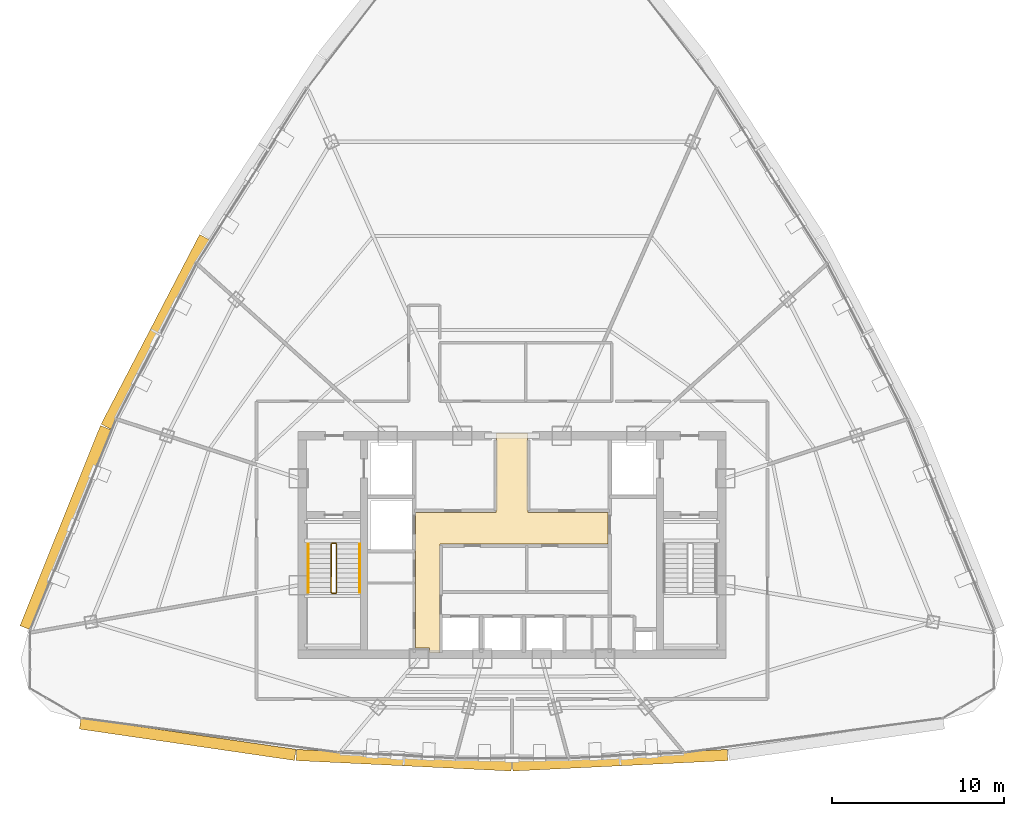
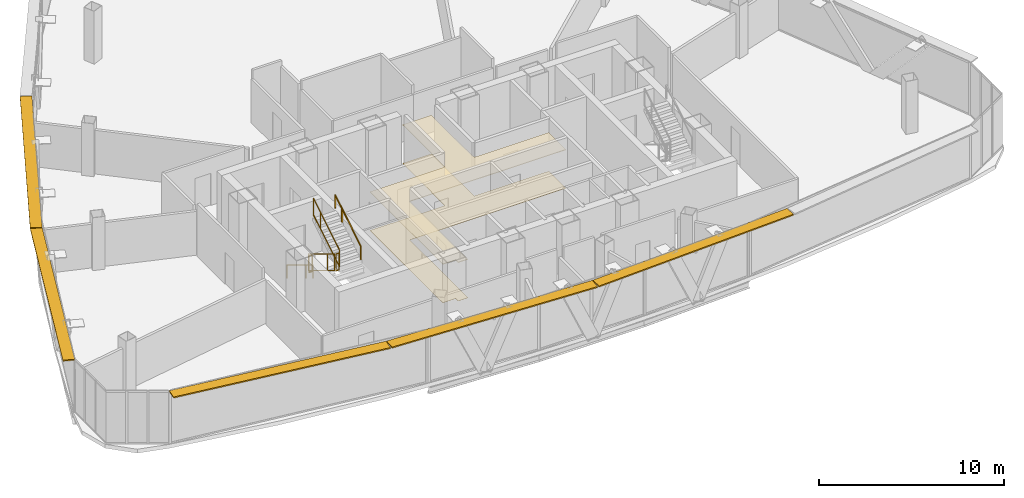
# One storey, part 25 of 27: 6 railings, 5 shading devices, 2 coverings.
"""IFC4 building model written with IfcOpenShell, lengths in metres."""

from ifc_helpers import new_model, si_unit, direction, frame, origin, origin_2d, place, context, subcontext, project, spatial, polyline, rectangle, outline, extrude, source, transform, mapped, material, layer, layer_set, type_object, element, save


model = new_model("IFC4")

# Units and contexts
model_context = context("Model", 3, precision=1e-05, world=origin(), true_north=direction((0.0, 1.0)))
body_context = subcontext(model_context, "Body", "Model", "MODEL_VIEW")
ifc_project = project(units=[si_unit("LENGTHUNIT", "METRE"), si_unit("AREAUNIT", "SQUARE_METRE"), si_unit("VOLUMEUNIT", "CUBIC_METRE"), si_unit("PLANEANGLEUNIT", "RADIAN"), si_unit("MASSUNIT", "GRAM", prefix="KILO"), si_unit("THERMODYNAMICTEMPERATUREUNIT", "KELVIN"), si_unit("POWERUNIT", "WATT")], contexts=[model_context])

# Site, building, storey
site_placement = place(None, origin())
site = spatial("IfcSite", under=ifc_project, at=site_placement, CompositionType="ELEMENT")
building_placement = place(site_placement, origin())
building = spatial("IfcBuilding", under=site, at=building_placement, Name="Yunzhuo Pagoda Commons", CompositionType="ELEMENT")
storey_placement = place(building_placement, frame((0.0, 0.0, 344.260009765625)))
storey = spatial("IfcBuildingStorey", under=building, at=storey_placement, Name="L86", CompositionType="ELEMENT", Elevation=344.260009765625)

# Coverings
ifc_material_1 = material(Name="Micro-perforated metal baffle ceiling")
ifc_layer_1 = layer(ifc_material_1, 0.034912109375)
ifc_layer_set_1 = layer_set([ifc_layer_1], Name="Micro-perforated metal baffle ceiling")
covering_type_1 = type_object("IfcCoveringType", Name="COV-CL3 Ceiling 35", PredefinedType="CEILING", material=ifc_layer_set_1)
covering_1_placement = place(storey_placement, frame((0.0, 0.0, 2.5400390625)))
element("IfcCovering", 1, at=covering_1_placement, inside=storey, type_object=covering_type_1, Name="L86 lift lobby acoustic ceiling", PredefinedType="CEILING", context=body_context, shape_type="SweptSolid", body=[
    extrude(outline(polyline([(42.39990234375, 35.75), (47.080078125, 35.75), (47.080078125, 37.25), (47.10009765625, 37.25), (47.10009765625, 40.35009765625), (48.89990234375, 40.35009765625), (48.89990234375, 37.25), (48.919921875, 37.25), (48.919921875, 35.75), (53.580078125, 35.75), (53.580078125, 33.89990234375), (43.820068359375, 33.89990234375), (43.820068359375, 27.60009765625), (43.207763671875, 27.60009765625), (43.207763671875, 27.85009765625), (43.201904296875, 27.864013671875), (43.187744140625, 27.8701171875), (42.39990234375, 27.8701171875), (42.39990234375, 33.89990234375), (42.39990234375, 35.75)])), origin(), (0.0, 0.0, 1.0), 0.034912109375),
])
ifc_material_2 = material(Name="Resilient acoustic studio flooring")
ifc_layer_2 = layer(ifc_material_2, 0.01806640625)
ifc_layer_set_2 = layer_set([ifc_layer_2], Name="Resilient acoustic studio flooring")
covering_type_2 = type_object("IfcCoveringType", Name="COV-FL3 Flooring 18", PredefinedType="FLOORING", material=ifc_layer_set_2)
covering_2_placement = place(storey_placement, origin())
element("IfcCovering", 2, at=covering_2_placement, inside=storey, type_object=covering_type_2, Name="L86 lift lobby flooring", PredefinedType="FLOORING", context=body_context, shape_type="SweptSolid", body=[
    extrude(outline(polyline([(42.39990234375, 35.75), (47.080078125, 35.75), (47.080078125, 37.25), (47.10009765625, 37.25), (47.10009765625, 40.35009765625), (48.89990234375, 40.35009765625), (48.89990234375, 37.25), (48.919921875, 37.25), (48.919921875, 35.75), (53.580078125, 35.75), (53.580078125, 33.89990234375), (43.820068359375, 33.89990234375), (43.820068359375, 27.60009765625), (43.207763671875, 27.60009765625), (43.207763671875, 27.85009765625), (43.201904296875, 27.864013671875), (43.187744140625, 27.8701171875), (42.39990234375, 27.8701171875), (42.39990234375, 33.89990234375), (42.39990234375, 35.75)])), origin(), (0.0, 0.0, 1.0), 0.01806640625),
])

# Railings
ifc_material_3 = material(Name="Anodized aluminium 6063-T6", Category="aluminium")
railing_type_1 = type_object("IfcRailingType", Name="GR-ST1 Stair Well Guardrail 1150", PredefinedType="GUARDRAIL", material=ifc_material_3)
railing_1_placement = place(storey_placement, frame((37.5, 33.89990234375, 0.17041015625)))
element("IfcRailing", 3, at=railing_1_placement, inside=storey, type_object=railing_type_1, Name="L86 ST1 stair guard 1", PredefinedType="GUARDRAIL", context=body_context, shape_type="SweptSolid", body=[
    extrude(rectangle(XDim=0.048095703125, YDim=0.048095703125, at=origin_2d()), frame((0.0, 0.0, 1.1259765625), z_axis=(0.0, -0.854149651119, 0.520027281489), x_axis=(1.0, 0.0, 0.0)), (0.0, 0.0, 1.0), 3.27783203125),
    extrude(rectangle(XDim=0.048095703125, YDim=0.048095703125, at=origin_2d()), frame((0.0, 0.0, 0.02392578125), z_axis=(0.0, -0.854149651119, 0.520027281489), x_axis=(1.0, 0.0, 0.0)), (0.0, 0.0, 1.0), 3.27783203125),
    extrude(rectangle(XDim=0.0419921875, YDim=0.0419921875, at=origin_2d()), origin(), (0.0, 0.0, 1.0), 1.101806640625),
    extrude(rectangle(XDim=0.0419921875, YDim=0.0419921875, at=origin_2d()), frame((0.0, -2.050048828125, 1.248046875)), (0.0, 0.0, 1.0), 1.101806640625),
    extrude(rectangle(XDim=0.0419921875, YDim=0.0419921875, at=origin_2d()), frame((0.0, -2.7998046875, 1.70458984375)), (0.0, 0.0, 1.0), 1.101806640625),
])
railing_2_placement = place(storey_placement, frame((37.550048828125, 31.050048828125, 1.875)))
element("IfcRailing", 4, at=railing_2_placement, inside=storey, type_object=railing_type_1, Name="L86 ST1 stair guard 2", PredefinedType="GUARDRAIL", context=body_context, shape_type="SweptSolid", body=[
    extrude(rectangle(XDim=0.048095703125, YDim=0.048095703125, at=origin_2d()), frame((0.0, 0.0, 1.1259765625), z_axis=(1.0, 0.0, 0.0), x_axis=(0.0, 1.0, 0.0)), (0.0, 0.0, 1.0), 0.199951171875),
    extrude(rectangle(XDim=0.048095703125, YDim=0.048095703125, at=origin_2d()), frame((0.0, 0.0, 0.02392578125), z_axis=(1.0, 0.0, 0.0), x_axis=(0.0, 1.0, 0.0)), (0.0, 0.0, 1.0), 0.199951171875),
    extrude(rectangle(XDim=0.0419921875, YDim=0.0419921875, at=origin_2d()), origin(), (0.0, 0.0, 1.0), 1.101806640625),
    extrude(rectangle(XDim=0.0419921875, YDim=0.0419921875, at=origin_2d()), frame((0.199951171875, 0.0, 0.0)), (0.0, 0.0, 1.0), 1.101806640625),
])
railing_3_placement = place(storey_placement, frame((37.800048828125, 31.10009765625, 2.04541015625)))
element("IfcRailing", 5, at=railing_3_placement, inside=storey, type_object=railing_type_1, Name="L86 ST1 stair guard 3", PredefinedType="GUARDRAIL", context=body_context, shape_type="SweptSolid", body=[
    extrude(rectangle(XDim=0.048095703125, YDim=0.048095703125, at=origin_2d()), frame((0.0, 0.0, 1.1259765625), z_axis=(0.0, 0.854149651119, 0.520027281489), x_axis=(-1.0, 0.0, 0.0)), (0.0, 0.0, 1.0), 3.27783203125),
    extrude(rectangle(XDim=0.048095703125, YDim=0.048095703125, at=origin_2d()), frame((0.0, 0.0, 0.02392578125), z_axis=(0.0, 0.854149651119, 0.520027281489), x_axis=(-1.0, 0.0, 0.0)), (0.0, 0.0, 1.0), 3.27783203125),
    extrude(rectangle(XDim=0.0419921875, YDim=0.0419921875, at=origin_2d()), origin(), (0.0, 0.0, 1.0), 1.101806640625),
    extrude(rectangle(XDim=0.0419921875, YDim=0.0419921875, at=origin_2d()), frame((0.0, 2.050048828125, 1.248046875)), (0.0, 0.0, 1.0), 1.101806640625),
    extrude(rectangle(XDim=0.0419921875, YDim=0.0419921875, at=origin_2d()), frame((0.0, 2.7998046875, 1.70458984375)), (0.0, 0.0, 1.0), 1.101806640625),
])
railing_4_placement = place(storey_placement, frame((37.550048828125, 33.949951171875, 0.0)))
element("IfcRailing", 6, at=railing_4_placement, inside=storey, type_object=railing_type_1, Name="L86 ST1 stair guard 4", PredefinedType="GUARDRAIL", context=body_context, shape_type="SweptSolid", body=[
    extrude(rectangle(XDim=0.048095703125, YDim=0.048095703125, at=origin_2d()), frame((0.0, 0.0, 1.1259765625), z_axis=(1.0, 0.0, 0.0), x_axis=(0.0, 1.0, 0.0)), (0.0, 0.0, 1.0), 0.199951171875),
    extrude(rectangle(XDim=0.048095703125, YDim=0.048095703125, at=origin_2d()), frame((0.0, 0.0, 0.02392578125), z_axis=(1.0, 0.0, 0.0), x_axis=(0.0, 1.0, 0.0)), (0.0, 0.0, 1.0), 0.199951171875),
    extrude(rectangle(XDim=0.0419921875, YDim=0.0419921875, at=origin_2d()), origin(), (0.0, 0.0, 1.0), 1.101806640625),
    extrude(rectangle(XDim=0.0419921875, YDim=0.0419921875, at=origin_2d()), frame((0.199951171875, 0.0, 0.0)), (0.0, 0.0, 1.0), 1.101806640625),
])
railing_type_2 = type_object("IfcRailingType", Name="HR-ST1 Stair Handrail 900", PredefinedType="HANDRAIL", material=ifc_material_3)
railing_5_placement = place(storey_placement, frame((36.14990234375, 33.89990234375, 0.17041015625)))
element("IfcRailing", 7, at=railing_5_placement, inside=storey, type_object=railing_type_2, Name="L86 ST1 stair handrail 1", PredefinedType="HANDRAIL", context=body_context, shape_type="SweptSolid", body=[
    extrude(rectangle(XDim=0.048095703125, YDim=0.048095703125, at=origin_2d()), frame((0.0, 0.0, 0.8759765625), z_axis=(0.0, -0.854149651119, 0.520027281489), x_axis=(1.0, 0.0, 0.0)), (0.0, 0.0, 1.0), 3.27783203125),
    extrude(rectangle(XDim=0.0419921875, YDim=0.0419921875, at=origin_2d()), origin(), (0.0, 0.0, 1.0), 0.851806640625),
    extrude(rectangle(XDim=0.0419921875, YDim=0.0419921875, at=origin_2d()), frame((0.0, -2.050048828125, 1.248046875)), (0.0, 0.0, 1.0), 0.851806640625),
    extrude(rectangle(XDim=0.0419921875, YDim=0.0419921875, at=origin_2d()), frame((0.0, -2.7998046875, 1.70458984375)), (0.0, 0.0, 1.0), 0.851806640625),
])
railing_6_placement = place(storey_placement, frame((39.14990234375, 31.10009765625, 2.04541015625)))
element("IfcRailing", 8, at=railing_6_placement, inside=storey, type_object=railing_type_2, Name="L86 ST1 stair handrail 2", PredefinedType="HANDRAIL", context=body_context, shape_type="SweptSolid", body=[
    extrude(rectangle(XDim=0.048095703125, YDim=0.048095703125, at=origin_2d()), frame((0.0, 0.0, 0.8759765625), z_axis=(0.0, 0.854149651119, 0.520027281489), x_axis=(-1.0, 0.0, 0.0)), (0.0, 0.0, 1.0), 3.27783203125),
    extrude(rectangle(XDim=0.0419921875, YDim=0.0419921875, at=origin_2d()), origin(), (0.0, 0.0, 1.0), 0.851806640625),
    extrude(rectangle(XDim=0.0419921875, YDim=0.0419921875, at=origin_2d()), frame((0.0, 2.050048828125, 1.248046875)), (0.0, 0.0, 1.0), 0.851806640625),
    extrude(rectangle(XDim=0.0419921875, YDim=0.0419921875, at=origin_2d()), frame((0.0, 2.7998046875, 1.70458984375)), (0.0, 0.0, 1.0), 0.851806640625),
])

# Shading devices
ifc_layer_3 = layer(ifc_material_3, 0.080078125)
ifc_layer_set_3 = layer_set([ifc_layer_3], Name="Anodized aluminium 6063-T6")
shading_device_type = type_object("IfcShadingDeviceType", Name="SH-SUN1 Pagoda Horizontal Sunshade Eave 650", PredefinedType="USERDEFINED", material=ifc_layer_set_3)
shared_shape_1 = source(origin(), body_context, "Body", "SweptSolid", [
    extrude(rectangle(XDim=12.63623046875, YDim=0.64990234375, at=origin_2d()), origin(), (0.0, 0.0, 1.0), 0.080078125),
])
shading_device_1_placement = place(storey_placement, frame((29.150390625, 22.563720703125, 3.409912109375), z_axis=(0.0, 0.0, 1.0), x_axis=(0.989510666697, -0.144459823108, 0.0)))
element("IfcShadingDevice", 9, at=shading_device_1_placement, inside=storey, type_object=shading_device_type, Name="L86 horizontal pagoda sunshade eave F1.1", ObjectType="SUNSHADE", PredefinedType="USERDEFINED", context=body_context, shape_type="MappedRepresentation", body=[
    mapped(shared_shape_1, transform((0.0, 0.0, 0.0), scale=1.0)),
])
shared_shape_2 = source(origin(), body_context, "Body", "SweptSolid", [
    extrude(rectangle(XDim=12.51806640625, YDim=0.64990234375, at=origin_2d()), origin(), (0.0, 0.0, 1.0), 0.080078125),
])
for number, where, z_axis, x_axis, name in (
    (10, (41.716796875, 21.3408203125, 3.409912109375), (0.0, 0.0, 1.0), (0.998818043775, -0.04860571396, 0.0), "L86 horizontal pagoda sunshade eave F1.2"),
    (11, (54.283203125, 21.3408203125, 3.409912109375), (0.0, 0.0, 1.0), (0.998818043775, 0.04860571396, 0.0), "L86 horizontal pagoda sunshade eave F1.3"),
):
    element("IfcShadingDevice", number, at=place(storey_placement, frame(where, z_axis=z_axis, x_axis=x_axis)), inside=storey, type_object=shading_device_type, Name=name, ObjectType="SUNSHADE", PredefinedType="USERDEFINED", context=body_context, shape_type="MappedRepresentation", body=[
        mapped(shared_shape_2, transform((0.0, 0.0, 0.0), scale=1.0)),
    ])
shared_shape_3 = source(origin(), body_context, "Body", "SweptSolid", [
    extrude(rectangle(XDim=12.534423828125, YDim=0.64990234375, at=origin_2d()), origin(), (0.0, 0.0, 1.0), 0.080078125),
])
shading_device_2_placement = place(storey_placement, frame((22.03955078125, 34.8583984375, 3.409912109375), z_axis=(0.0, 0.0, 1.0), x_axis=(-0.372987782576, -0.927836253899, 0.0)))
element("IfcShadingDevice", 12, at=shading_device_2_placement, inside=storey, type_object=shading_device_type, Name="L86 horizontal pagoda sunshade eave F3.4", ObjectType="SUNSHADE", PredefinedType="USERDEFINED", context=body_context, shape_type="MappedRepresentation", body=[
    mapped(shared_shape_3, transform((0.0, 0.0, 0.0), scale=1.0)),
])
shared_shape_4 = source(origin(), body_context, "Body", "SweptSolid", [
    extrude(rectangle(XDim=12.41552734375, YDim=0.64990234375, at=origin_2d()), origin(), (0.0, 0.0, 1.0), 0.080078125),
])
shading_device_3_placement = place(storey_placement, frame((27.2666015625, 46.239013671875, 3.409912109375), z_axis=(0.0, 0.0, 1.0), x_axis=(-0.461206683033, -0.88729273384, 0.0)))
element("IfcShadingDevice", 13, at=shading_device_3_placement, inside=storey, type_object=shading_device_type, Name="L86 horizontal pagoda sunshade eave F3.3", ObjectType="SUNSHADE", PredefinedType="USERDEFINED", context=body_context, shape_type="MappedRepresentation", body=[
    mapped(shared_shape_4, transform((0.0, 0.0, 0.0), scale=1.0)),
])

save(model, "model.ifc")
